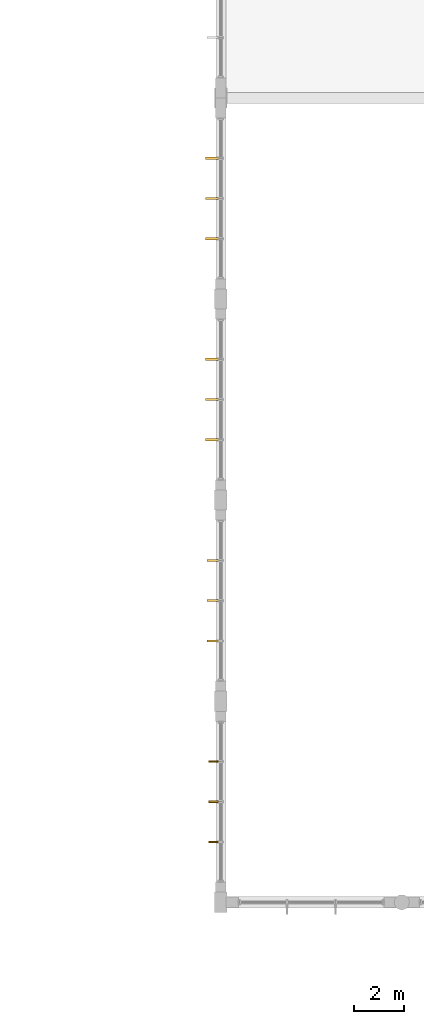
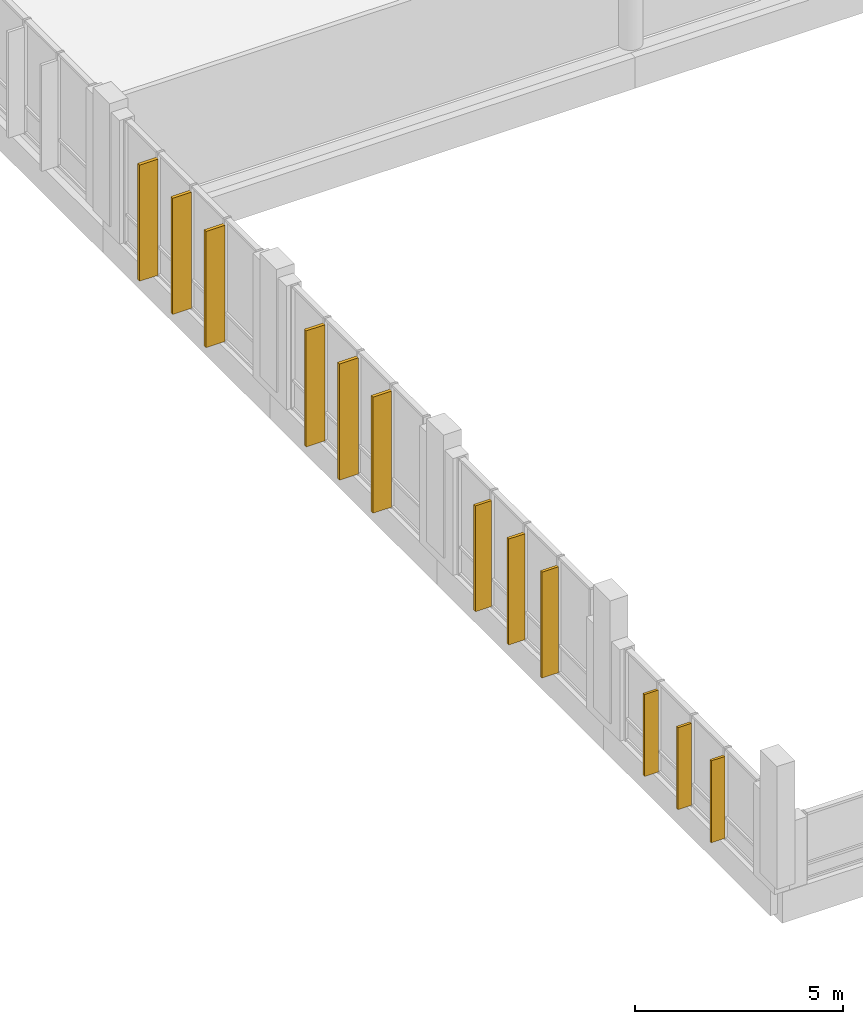
# One storey, part 173 of 189: 12 shading devices.
"""IFC4 building model written with IfcOpenShell, lengths in metres."""

from ifc_helpers import new_model, si_unit, direction, frame, origin, origin_2d, place, context, subcontext, project, spatial, rectangle, extrude, material, type_object, element, save


model = new_model("IFC4")

# Units and contexts
model_context = context("Model", 3, precision=1e-05, world=origin(), true_north=direction((0.0, 1.0)))
body_context = subcontext(model_context, "Body", "Model", "MODEL_VIEW")
ifc_project = project(units=[si_unit("LENGTHUNIT", "METRE"), si_unit("AREAUNIT", "SQUARE_METRE"), si_unit("VOLUMEUNIT", "CUBIC_METRE"), si_unit("PLANEANGLEUNIT", "RADIAN"), si_unit("MASSUNIT", "GRAM", prefix="KILO")], contexts=[model_context])

# Site, building, storey
site_placement = place(None, origin())
site = spatial("IfcSite", under=ifc_project, at=site_placement, CompositionType="ELEMENT")
building_placement = place(site_placement, origin())
building = spatial("IfcBuilding", under=site, at=building_placement, Name="Zavelmont Quarter", CompositionType="ELEMENT")
storey_placement = place(building_placement, frame((0.0, 0.0, 4.39990234375)))
storey = spatial("IfcBuildingStorey", under=building, at=storey_placement, Name="L01", CompositionType="ELEMENT", Elevation=4.39990234375)

# Shading devices
ifc_material = material(Name="Anodised aluminium EN AW-6063-T6", Category="aluminium")
shading_device_type_1 = type_object("IfcShadingDeviceType", Name="SD02", PredefinedType="JALOUSIE", material=ifc_material)
for number, where, z_axis, x_axis, name in (
    (1, (54.885009765625, 40.39990234375, -0.22998046875), (0.0, 0.0, 1.0), (0.0, 1.0, 0.0), "L01 solar brise-soleil fin SD02"),
    (2, (54.885009765625, 42.0, -0.22998046875), (0.0, 0.0, 1.0), (0.0, 1.0, 0.0), "L01 solar brise-soleil fin SD02"),
    (3, (54.885009765625, 43.60009765625, -0.22998046875), (0.0, 0.0, 1.0), (0.0, 1.0, 0.0), "L01 solar brise-soleil fin SD02"),
):
    element("IfcShadingDevice", number, at=place(storey_placement, frame(where, z_axis=z_axis, x_axis=x_axis)), inside=storey, type_object=shading_device_type_1, Name=name, PredefinedType="JALOUSIE", context=body_context, shape_type="SweptSolid", body=[
        extrude(rectangle(XDim=0.080078125, YDim=0.449951171875, at=origin_2d()), origin(), (0.0, 0.0, 1.0), 3.10009765625),
    ])
shading_device_type_2 = type_object("IfcShadingDeviceType", Name="SD04", PredefinedType="JALOUSIE", material=ifc_material)
for number, where, z_axis, x_axis, name in (
    (4, (54.85009765625, 48.39990234375, -0.229736328125), (0.0, 0.0, 1.0), (0.0, 1.0, 0.0), "L01 solar brise-soleil fin SD04"),
    (5, (54.85009765625, 50.0, -0.229736328125), (0.0, 0.0, 1.0), (0.0, 1.0, 0.0), "L01 solar brise-soleil fin SD04"),
    (6, (54.85009765625, 51.60009765625, -0.229736328125), (0.0, 0.0, 1.0), (0.0, 1.0, 0.0), "L01 solar brise-soleil fin SD04"),
    (7, (54.85009765625, 56.39990234375, -0.229736328125), (0.0, 0.0, 1.0), (0.0, 1.0, 0.0), "L01 solar brise-soleil fin SD04"),
    (8, (54.85009765625, 58.0, -0.229736328125), (0.0, 0.0, 1.0), (0.0, 1.0, 0.0), "L01 solar brise-soleil fin SD04"),
    (9, (54.85009765625, 59.60009765625, -0.229736328125), (0.0, 0.0, 1.0), (0.0, 1.0, 0.0), "L01 solar brise-soleil fin SD04"),
):
    element("IfcShadingDevice", number, at=place(storey_placement, frame(where, z_axis=z_axis, x_axis=x_axis)), inside=storey, type_object=shading_device_type_2, Name=name, PredefinedType="JALOUSIE", context=body_context, shape_type="SweptSolid", body=[
        extrude(rectangle(XDim=0.090087890625, YDim=0.52001953125, at=origin_2d()), origin(), (0.0, 0.0, 1.0), 3.39990234375),
    ])
shading_device_type_3 = type_object("IfcShadingDeviceType", Name="SD06", PredefinedType="JALOUSIE", material=ifc_material)
for number, where, z_axis, x_axis, name in (
    (10, (54.919921875, 32.39990234375, -0.229736328125), (0.0, 0.0, 1.0), (0.0, 1.0, 0.0), "L01 solar brise-soleil fin SD06"),
    (11, (54.919921875, 34.0, -0.229736328125), (0.0, 0.0, 1.0), (0.0, 1.0, 0.0), "L01 solar brise-soleil fin SD06"),
    (12, (54.919921875, 35.60009765625, -0.229736328125), (0.0, 0.0, 1.0), (0.0, 1.0, 0.0), "L01 solar brise-soleil fin SD06"),
):
    element("IfcShadingDevice", number, at=place(storey_placement, frame(where, z_axis=z_axis, x_axis=x_axis)), inside=storey, type_object=shading_device_type_3, Name=name, PredefinedType="JALOUSIE", context=body_context, shape_type="SweptSolid", body=[
        extrude(rectangle(XDim=0.070068359375, YDim=0.3798828125, at=origin_2d()), origin(), (0.0, 0.0, 1.0), 2.39990234375),
    ])

save(model, "model.ifc")
